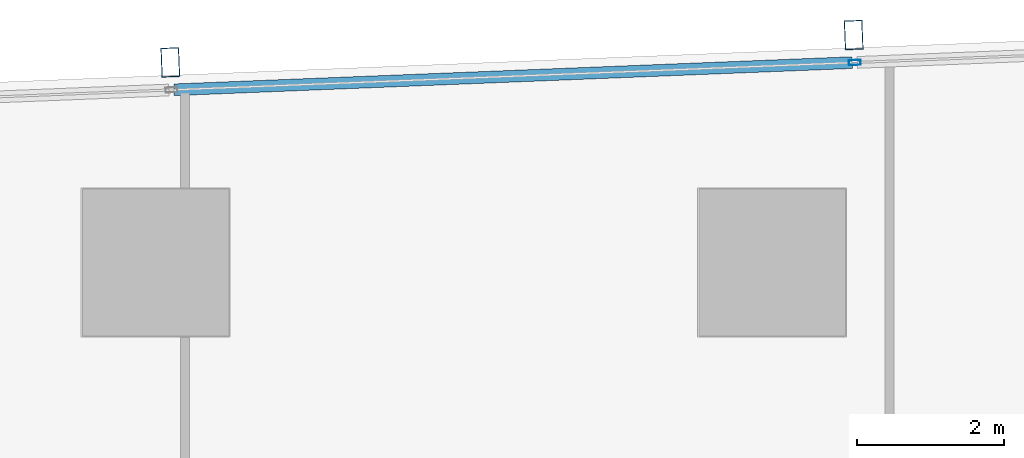
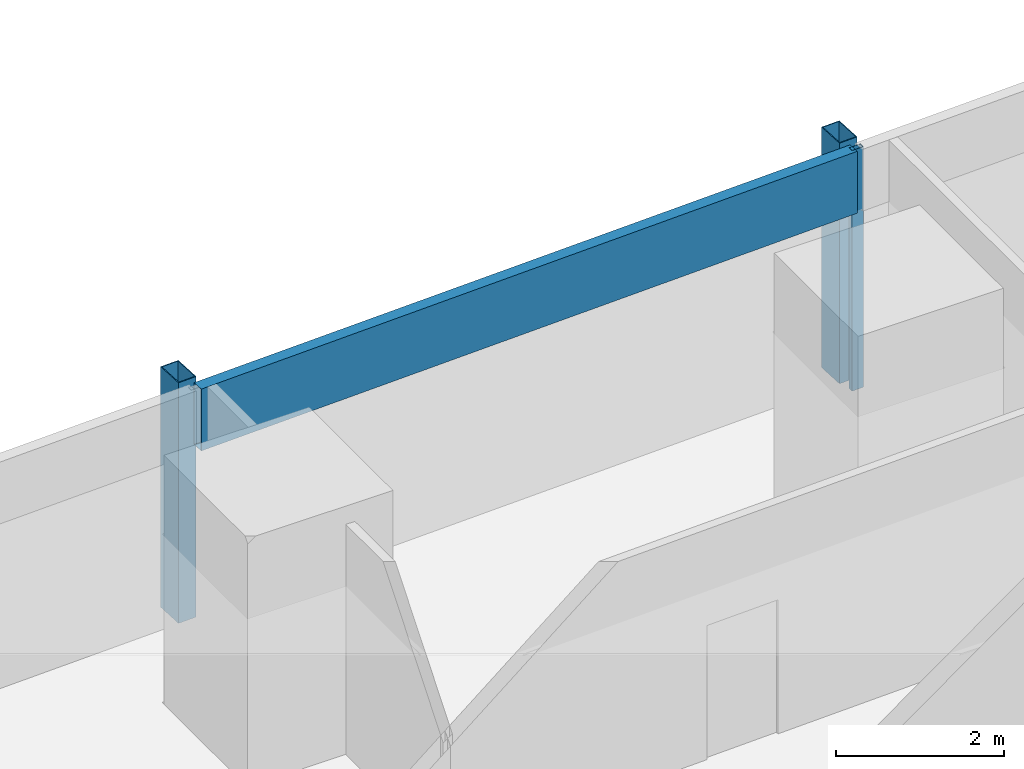
# One storey, part 15 of 36: 4 members, 1 element without a shape of its own.
"""IFC4 building model written with IfcOpenShell, lengths in metres."""

from ifc_helpers import new_model, si_unit, direction, frame, origin, origin_2d, place, context, subcontext, project, spatial, hollow_rectangle, extrude, material, material_profile, profile_set, type_object, element, aggregate, save


model = new_model("IFC4")

# Units and contexts
model_context = context("Model", 3, precision=1e-05, world=origin(), true_north=direction((0.0, 1.0)))
body_context = subcontext(model_context, "Body", "Model", "MODEL_VIEW")
ifc_project = project(units=[si_unit("LENGTHUNIT", "METRE"), si_unit("AREAUNIT", "SQUARE_METRE"), si_unit("VOLUMEUNIT", "CUBIC_METRE"), si_unit("PLANEANGLEUNIT", "RADIAN"), si_unit("MASSUNIT", "GRAM", prefix="KILO")], contexts=[model_context])

# Site, building, storey
site_placement = place(None, origin())
site = spatial("IfcSite", under=ifc_project, at=site_placement, CompositionType="ELEMENT")
building_placement = place(site_placement, origin())
building = spatial("IfcBuilding", under=site, at=building_placement, Name="Rekha Terrace Tower", CompositionType="ELEMENT")
storey_placement = place(building_placement, frame((0.0, 0.0, 144.050048828125)))
storey = spatial("IfcBuildingStorey", under=building, at=storey_placement, Name="L36", CompositionType="ELEMENT", Elevation=144.050048828125)

# Curtain wall, members
ifc_material_1 = material(Name="Aluminium framing", Category="aluminium")
curtain_wall_type = type_object("IfcCurtainWallType", Name="CW3 north unitised glazing", PredefinedType="USERDEFINED", material=ifc_material_1)
curtain_wall_placement = place(storey_placement, origin())
curtain_wall = element("IfcCurtainWall", 1, at=curtain_wall_placement, inside=storey, type_object=curtain_wall_type, Name="CW3 unitised curtain wall", ObjectType="UNITISED CURTAIN WALL", PredefinedType="USERDEFINED")
ifc_material_2 = material(Name="Steel S355 with fluorocarbon finish", Category="steel")
ifc_material_profile_1 = material_profile(ifc_material_2, hollow_rectangle(XDim=0.25, YDim=0.39990234375, WallThickness=0.012451171875, at=origin_2d()), Name="RHS400x250x12.5")
ifc_profile_set_1 = profile_set([ifc_material_profile_1], Name="Steel S355 with fluorocarbon finish")
member_type_1 = type_object("IfcMemberType", Name="BL1 facade blade RHS 400 x 250", PredefinedType="USERDEFINED", material=ifc_profile_set_1)
member_1_placement = place(storey_placement, frame((34.7109375, 61.9013671875, 0.0), z_axis=(0.0, 0.0, 1.0), x_axis=(-0.999198382632, -0.040032388711, 0.0)))
member_1 = element("IfcMember", 2, at=member_1_placement, type_object=member_type_1, Name="Facade blade", ObjectType="FACADE BLADE", PredefinedType="USERDEFINED", context=body_context, shape_type="SweptSolid", body=[
    extrude(hollow_rectangle(XDim=0.25, YDim=0.39990234375, WallThickness=0.012451171875, at=origin_2d()), origin(), (0.0, 0.0, 1.0), 3.5),
])
member_2_placement = place(storey_placement, frame((25.39892578125, 61.5283203125, 0.0), z_axis=(0.0, 0.0, 1.0), x_axis=(-0.999198382632, -0.040032388711, 0.0)))
member_2 = element("IfcMember", 3, at=member_2_placement, type_object=member_type_1, Name="Facade blade", ObjectType="FACADE BLADE", PredefinedType="USERDEFINED", context=body_context, shape_type="SweptSolid", body=[
    extrude(hollow_rectangle(XDim=0.25, YDim=0.39990234375, WallThickness=0.012451171875, at=origin_2d()), origin(), (0.0, 0.0, 1.0), 3.5),
])
ifc_material_3 = material(Name="Aluminium mullion section", Category="aluminium")
ifc_material_profile_2 = material_profile(ifc_material_3, hollow_rectangle(XDim=0.070068359375, YDim=0.159912109375, WallThickness=0.00390625, at=origin_2d()), Name="AL RHS 70x160")
ifc_profile_set_2 = profile_set([ifc_material_profile_2], Name="Aluminium mullion section")
member_type_2 = type_object("IfcMemberType", Name="CW3 mullion RHS 70 x 160", PredefinedType="MULLION", material=ifc_profile_set_2)
member_3_placement = place(storey_placement, frame((34.725830078125, 61.526611328125, 0.0), z_axis=(0.0, 0.0, 1.0), x_axis=(0.040031987119, -0.999198398721, 0.0)))
member_3 = element("IfcMember", 4, at=member_3_placement, type_object=member_type_2, Name="CW3 mullion 2", PredefinedType="MULLION", context=body_context, shape_type="SweptSolid", body=[
    extrude(hollow_rectangle(XDim=0.070068359375, YDim=0.159912109375, WallThickness=0.00390625, at=origin_2d()), origin(), (0.0, 0.0, 1.0), 3.5),
])
ifc_material_4 = material(Name="Insulated aluminium spandrel box", Category="aluminium")
ifc_material_profile_3 = material_profile(ifc_material_4, hollow_rectangle(XDim=0.159912109375, YDim=0.89990234375, WallThickness=0.0029296875, at=origin_2d()), Name="AL SPANDREL BOX 160x900")
ifc_profile_set_3 = profile_set([ifc_material_profile_3], Name="Insulated aluminium spandrel box")
member_type_3 = type_object("IfcMemberType", Name="CW3 spandrel transom 160 x 900", PredefinedType="USERDEFINED", material=ifc_profile_set_3)
member_4_placement = place(storey_placement, frame((34.69091796875, 61.525390625, 3.050048828125), z_axis=(-0.999198046754, -0.040040771263, 0.0), x_axis=(0.040040771263, -0.999198046754, 0.0)))
member_4 = element("IfcMember", 5, at=member_4_placement, type_object=member_type_3, Name="CW3 spandrel transom 2", ObjectType="TRANSOM", PredefinedType="USERDEFINED", context=body_context, shape_type="SweptSolid", body=[
    extrude(hollow_rectangle(XDim=0.159912109375, YDim=0.89990234375, WallThickness=0.0029296875, at=origin_2d()), origin(), (0.0, 0.0, 1.0), 9.24951171875),
])
aggregate(curtain_wall, [member_3, member_4, member_1, member_2])

save(model, "model.ifc")
